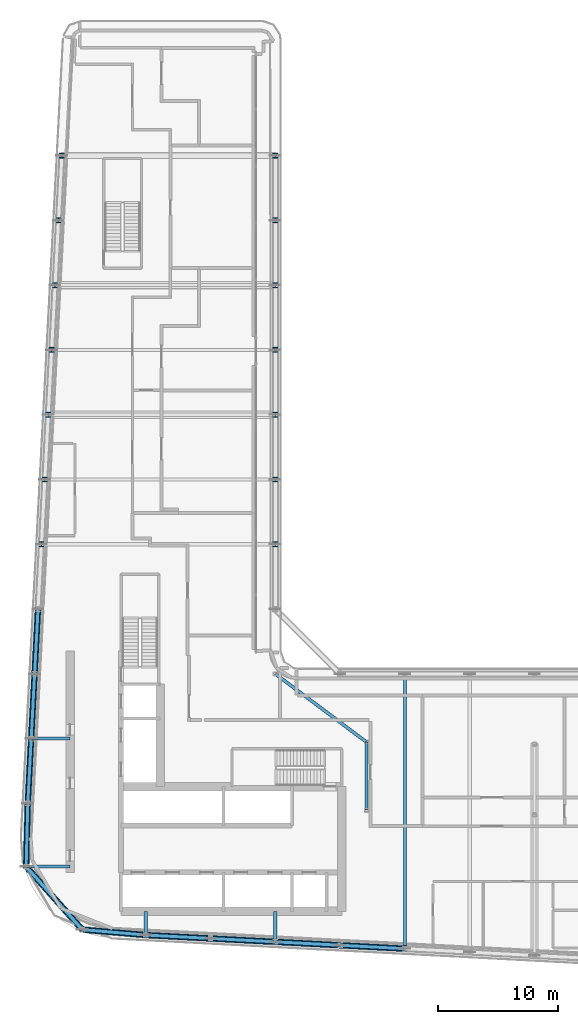
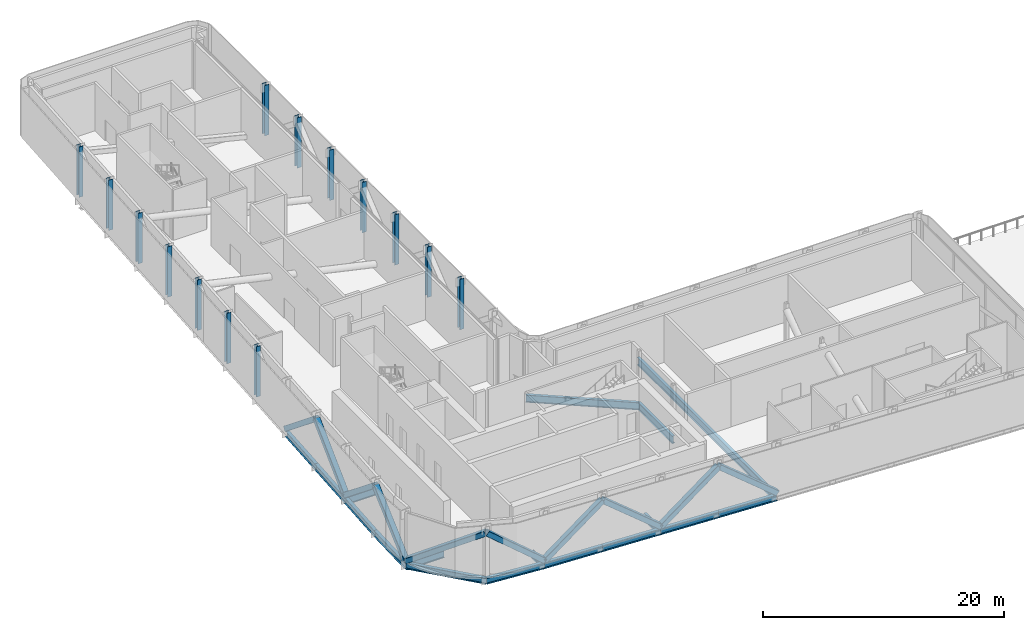
# One storey, part 3 of 23: 17 beams, 14 columns, 10 members.
"""IFC4 building model written with IfcOpenShell, lengths in metres."""

import ifcopenshell
import ifcopenshell.guid

model = None  # the IFC model being written
_history = None  # IfcOwnerHistory: only IFC2X3 demands one
_inside = {}  # id of a spatial element -> (the spatial element, [elements in it])
_under = {}  # id of a project, library or spatial element -> (it, [spatial elements below it])
_declared = {}  # id of a project -> (the project, [libraries it declares])
_typed = {}  # id of a type object -> (the type object, [elements of that type])
_made_of = {}  # id of a material, layer set ... -> (it, [elements and type objects made of it])


def new_model(schema):
    """Start an empty IFC model of exactly this schema.

    Asked for "IFC4X3", IfcOpenShell would pick the latest addendum, in which some entities
    have other attributes; the version numbers below select the first issue.
    IFC2X3 requires an IfcOwnerHistory on every rooted entity: one is made here for all.
    """
    global model, _history
    if schema == "IFC4X3":
        model = ifcopenshell.file(schema_version=(4, 3, 0, 0))
    else:
        model = ifcopenshell.file(schema=schema)
    _inside.clear()
    _under.clear()
    _declared.clear()
    _typed.clear()
    _made_of.clear()
    _history = None
    if model.schema == "IFC2X3":
        org = make("IfcOrganization", Name="unknown")
        user = make(
            "IfcPersonAndOrganization",
            ThePerson=make("IfcPerson", FamilyName="unknown"),
            TheOrganization=org,
        )
        app = make(
            "IfcApplication",
            ApplicationDeveloper=org,
            Version="unknown",
            ApplicationFullName="unknown",
            ApplicationIdentifier="unknown",
        )
        _history = make(
            "IfcOwnerHistory",
            OwningUser=user,
            OwningApplication=app,
            ChangeAction="ADDED",
            CreationDate=0,
        )
    return model


def make(cls, **values):
    """One entity of the class cls with the attributes given. An attribute that is None is left unset."""
    return model.create_entity(
        cls, **{name: value for name, value in values.items() if value is not None}
    )


def rooted(cls, **values):
    """An entity with a GlobalId (a new one), such as an element, a storey or a relation."""
    return make(cls, GlobalId=ifcopenshell.guid.new(), OwnerHistory=_history, **values)


def si_unit(unit_type, name, prefix=None):
    """IfcSIUnit, for example si_unit("LENGTHUNIT", "METRE", prefix="MILLI")."""
    return make("IfcSIUnit", UnitType=unit_type, Prefix=prefix, Name=name)


def assignment(units):
    """IfcUnitAssignment: the units of a project."""
    return None if units is None else make("IfcUnitAssignment", Units=units)


def point(xyz):
    """IfcCartesianPoint."""
    return None if xyz is None else make("IfcCartesianPoint", Coordinates=xyz)


def direction(xyz):
    """IfcDirection."""
    return None if xyz is None else make("IfcDirection", DirectionRatios=xyz)


def frame(location, z_axis=None, x_axis=None):
    """IfcAxis2Placement3D, a coordinate frame: its origin and axes. An axis left out is left unset."""
    return make(
        "IfcAxis2Placement3D",
        Location=point(location),
        Axis=direction(z_axis),
        RefDirection=direction(x_axis),
    )


def frame_2d(location, x_axis=None):
    """IfcAxis2Placement2D, a coordinate frame in the plane: its origin and x axis."""
    return make(
        "IfcAxis2Placement2D", Location=point(location), RefDirection=direction(x_axis)
    )


def origin():
    """The frame at (0, 0, 0) with its axes left unset."""
    return frame((0.0, 0.0, 0.0))


def origin_2d():
    """The frame at (0, 0) in the plane with its x axis left unset."""
    return frame_2d((0.0, 0.0))


def place(relative_to, where):
    """IfcLocalPlacement: puts the frame where relative to a parent placement (None: the world)."""
    return make(
        "IfcLocalPlacement", PlacementRelTo=relative_to, RelativePlacement=where
    )


def context(
    kind, dimensions, precision=None, world=None, true_north=None, identifier=None
):
    """IfcGeometricRepresentationContext, for example the 3D "Model" context."""
    return make(
        "IfcGeometricRepresentationContext",
        ContextIdentifier=identifier,
        ContextType=kind,
        CoordinateSpaceDimension=dimensions,
        Precision=precision,
        WorldCoordinateSystem=world,
        TrueNorth=true_north,
    )


def subcontext(parent, identifier, kind, view, scale=None):
    """IfcGeometricRepresentationSubContext, for example "Body" below "Model"."""
    return make(
        "IfcGeometricRepresentationSubContext",
        ContextIdentifier=identifier,
        ContextType=kind,
        ParentContext=parent,
        TargetScale=scale,
        TargetView=view,
    )


def project(units=None, contexts=None):
    """IfcProject with its units and contexts."""
    return rooted(
        "IfcProject",
        Name="project",
        RepresentationContexts=contexts,
        UnitsInContext=assignment(units),
    )


def spatial(cls, under=None, at=None, **own):
    """A site, building, storey or space (cls), placed at a placement, below another one or the project."""
    s = rooted(cls, ObjectPlacement=at, **own)
    if under is not None:
        _under.setdefault(under.id(), (under, []))[1].append(s)
    return s


def profile(cls, at=None, kind="AREA", **sizes):
    """A parametric profile (cls). Its sizes go by their IFC names, for example OverallWidth=200.0."""
    return make(cls, ProfileType=kind, Position=at, **sizes)


def hollow_rectangle(**sizes):
    """IfcRectangleHollowProfileDef."""
    return profile("IfcRectangleHollowProfileDef", **sizes)


def i_section(**sizes):
    """IfcIShapeProfileDef."""
    return profile("IfcIShapeProfileDef", **sizes)


def extrude(swept, where, along, depth):
    """IfcExtrudedAreaSolid: the profile swept, set in the frame where, extruded along a direction by depth."""
    return make(
        "IfcExtrudedAreaSolid",
        SweptArea=swept,
        Position=where,
        ExtrudedDirection=direction(along),
        Depth=depth,
    )


def shape(context_of_items, identifier, shape_type, items):
    """IfcShapeRepresentation: the items that make up one representation, for example the "Body"."""
    return make(
        "IfcShapeRepresentation",
        ContextOfItems=context_of_items,
        RepresentationIdentifier=identifier,
        RepresentationType=shape_type,
        Items=items,
    )


def material(Name=None, Category=None):
    """IfcMaterial."""
    return make("IfcMaterial", Name=Name, Category=Category)


def material_profile(
    of_material, cross_section, Name=None, Category=None, Priority=None
):
    """IfcMaterialProfile: a cross section and its material."""
    return make(
        "IfcMaterialProfile",
        Name=Name,
        Material=of_material,
        Profile=cross_section,
        Priority=Priority,
        Category=Category,
    )


def profile_set(profiles, Name=None, composite=None):
    """IfcMaterialProfileSet."""
    return make(
        "IfcMaterialProfileSet",
        Name=Name,
        MaterialProfiles=profiles,
        CompositeProfile=composite,
    )


def made_of(thing, what):
    """Note that an element or type object is made of a material, layer set ...; save() writes the relation."""
    if what is not None:
        _made_of.setdefault(what.id(), (what, []))[1].append(thing)
    return thing


def type_object(cls, material=None, **own):
    """A type object (cls), such as IfcWallType, which elements share."""
    return made_of(rooted(cls, **own), material)


def element(
    cls,
    number,
    at=None,
    inside=None,
    cuts=None,
    type_object=None,
    material=None,
    context=None,
    identifier="Body",
    shape_type=None,
    held_by="IfcProductDefinitionShape",
    body=None,
    shapes=None,
    **own,
):
    """One element of the class cls, such as IfcWall. Its Tag is "e" and its number.

    at: its placement. inside: the storey or other place that contains it. cuts: it is an
    opening in that element (IfcRelVoidsElement). A single representation is given by context,
    identifier, shape_type and body (its items); several are given by shapes. held_by: the class
    of the entity that holds the representations. save() writes the other relations.
    """
    e = rooted(cls, Tag="e%d" % number, ObjectPlacement=at, **own)
    if body is not None:
        shapes = [shape(context, identifier, shape_type, body)]
    if shapes is not None:
        e.Representation = make(held_by, Representations=shapes)
    if inside is not None:
        _inside.setdefault(inside.id(), (inside, []))[1].append(e)
    if cuts is not None:
        rooted(
            "IfcRelVoidsElement", RelatingBuildingElement=cuts, RelatedOpeningElement=e
        )
    if type_object is not None:
        _typed.setdefault(type_object.id(), (type_object, []))[1].append(e)
    return made_of(e, material)


def aggregate(whole, parts):
    """IfcRelAggregates: a whole, such as a stair, and the parts it consists of."""
    return rooted("IfcRelAggregates", RelatingObject=whole, RelatedObjects=parts)


def save(model, path):
    """Write the relations noted so far, then the file.

    IfcRelAggregates (storeys below a building ...), IfcRelContainedInSpatialStructure (elements
    in a storey), IfcRelDefinesByType, IfcRelAssociatesMaterial and IfcRelDeclares: one each for
    every whole, place, type object, material and project.
    """
    for whole, parts in _under.values():
        aggregate(whole, parts)
    for where, things in _inside.values():
        rooted(
            "IfcRelContainedInSpatialStructure",
            RelatedElements=things,
            RelatingStructure=where,
        )
    for kind, things in _typed.values():
        rooted("IfcRelDefinesByType", RelatedObjects=things, RelatingType=kind)
    for what, things in _made_of.values():
        rooted("IfcRelAssociatesMaterial", RelatedObjects=things, RelatingMaterial=what)
    for by, libraries in _declared.values():
        rooted("IfcRelDeclares", RelatingContext=by, RelatedDefinitions=libraries)
    model.write(path)


model = new_model("IFC4")

# Units and contexts
model_context = context("Model", 3, precision=1e-05, world=origin(), true_north=direction((0.0, 1.0)))
body_context = subcontext(model_context, "Body", "Model", "MODEL_VIEW")
ifc_project = project(units=[si_unit("LENGTHUNIT", "METRE"), si_unit("AREAUNIT", "SQUARE_METRE"), si_unit("VOLUMEUNIT", "CUBIC_METRE"), si_unit("PLANEANGLEUNIT", "RADIAN"), si_unit("MASSUNIT", "GRAM", prefix="KILO")], contexts=[model_context])

# Site, building, storey
site_placement = place(None, origin())
site = spatial("IfcSite", under=ifc_project, at=site_placement, CompositionType="ELEMENT")
building_placement = place(site_placement, origin())
building = spatial("IfcBuilding", under=site, at=building_placement, Name="Kheshtan School and Residences Tower", CompositionType="ELEMENT")
storey_placement = place(building_placement, frame((0.0, 0.0, 211.10009765625)))
storey = spatial("IfcBuildingStorey", under=building, at=storey_placement, Name="L49", CompositionType="ELEMENT", Elevation=211.10009765625)

# Columns
ifc_material_1 = material(Name="Steel ASTM A992 Grade 50", Category="steel")
ifc_material_profile_1 = material_profile(ifc_material_1, i_section(OverallWidth=0.404052734375, OverallDepth=0.406982421875, WebThickness=0.027099609375, FlangeThickness=0.043701171875, FilletRadius=0.01220703125, at=origin_2d()), Name="W360x347")
ifc_profile_set_1 = profile_set([ifc_material_profile_1], Name="Steel ASTM A992 Grade 50")
column_type = type_object("IfcColumnType", Name="Column C4 W360x347 ASTM A992 Grade 50", PredefinedType="COLUMN", material=ifc_profile_set_1)
for number, where, z_axis, x_axis, name in (
    (1, (28.10595703125, 56.39990234375, 0.0), (0.0, 0.0, 1.0), (1.0, 0.0, 0.0), "Column C080"),
    (2, (47.60009765625, 56.39990234375, 0.0), (0.0, 0.0, 1.0), (1.0, 0.0, 0.0), "Column C081"),
    (3, (28.389892578125, 61.800048828125, 0.0), (0.0, 0.0, 1.0), (1.0, 0.0, 0.0), "Column C082"),
    (4, (47.60009765625, 61.800048828125, 0.0), (0.0, 0.0, 1.0), (1.0, 0.0, 0.0), "Column C083"),
    (5, (28.674072265625, 67.199951171875, 0.0), (0.0, 0.0, 1.0), (1.0, 0.0, 0.0), "Column C084"),
    (6, (47.60009765625, 67.199951171875, 0.0), (0.0, 0.0, 1.0), (1.0, 0.0, 0.0), "Column C085"),
    (7, (28.9580078125, 72.60009765625, 0.0), (0.0, 0.0, 1.0), (1.0, 0.0, 0.0), "Column C086"),
    (8, (47.60009765625, 72.60009765625, 0.0), (0.0, 0.0, 1.0), (1.0, 0.0, 0.0), "Column C087"),
    (9, (29.242919921875, 78.0, 0.0), (0.0, 0.0, 1.0), (1.0, 0.0, 0.0), "Column C088"),
    (10, (47.60009765625, 78.0, 0.0), (0.0, 0.0, 1.0), (1.0, 0.0, 0.0), "Column C089"),
    (11, (29.527099609375, 83.39990234375, 0.0), (0.0, 0.0, 1.0), (1.0, 0.0, 0.0), "Column C090"),
    (12, (47.60009765625, 83.39990234375, 0.0), (0.0, 0.0, 1.0), (1.0, 0.0, 0.0), "Column C091"),
    (13, (29.81103515625, 88.800048828125, 0.0), (0.0, 0.0, 1.0), (1.0, 0.0, 0.0), "Column C098"),
    (14, (47.60009765625, 88.800048828125, 0.0), (0.0, 0.0, 1.0), (1.0, 0.0, 0.0), "Column C099"),
):
    element("IfcColumn", number, at=place(storey_placement, frame(where, z_axis=z_axis, x_axis=x_axis)), inside=storey, type_object=column_type, Name=name, PredefinedType="COLUMN", context=body_context, shape_type="SweptSolid", body=[
        extrude(i_section(OverallWidth=0.404052734375, OverallDepth=0.406982421875, WebThickness=0.027099609375, FlangeThickness=0.043701171875, FilletRadius=0.01220703125, at=origin_2d()), origin(), (0.0, 0.0, 1.0), 5.099853515625),
    ])

# Beams
ifc_material_profile_2 = material_profile(ifc_material_1, i_section(OverallWidth=0.264892578125, OverallDepth=0.7529296875, WebThickness=0.01318359375, FlangeThickness=0.01708984375, FilletRadius=0.015380859375, at=origin_2d()), Name="W760x147")
ifc_profile_set_2 = profile_set([ifc_material_profile_2], Name="Steel ASTM A992 Grade 50")
beam_type_1 = type_object("IfcBeamType", Name="Beam FB7 W760x147 ASTM A992 Grade 50", PredefinedType="BEAM", material=ifc_profile_set_2)
beam_1_placement = place(storey_placement, frame((58.39990234375, 22.695068359375, -0.526611328125), z_axis=(0.0, 1.0, 0.0), x_axis=(-1.0, 0.0, 0.0)))
element("IfcBeam", 15, at=beam_1_placement, inside=storey, type_object=beam_type_1, Name="Floor beam C018", PredefinedType="BEAM", context=body_context, shape_type="SweptSolid", body=[
    extrude(i_section(OverallWidth=0.264892578125, OverallDepth=0.7529296875, WebThickness=0.01318359375, FlangeThickness=0.01708984375, FilletRadius=0.015380859375, at=origin_2d()), origin(), (0.0, 0.0, 1.0), 22.905029296875),
])
beam_2_placement = place(storey_placement, frame((47.60009765625, 23.263916015625, -0.526611328125), z_axis=(0.0, 1.0, 0.0), x_axis=(-1.0, 0.0, 0.0)))
element("IfcBeam", 16, at=beam_2_placement, inside=storey, type_object=beam_type_1, Name="Floor beam C020", PredefinedType="BEAM", context=body_context, shape_type="SweptSolid", body=[
    extrude(i_section(OverallWidth=0.264892578125, OverallDepth=0.7529296875, WebThickness=0.01318359375, FlangeThickness=0.01708984375, FilletRadius=0.015380859375, at=origin_2d()), origin(), (0.0, 0.0, 1.0), 2.5361328125),
])
beam_3_placement = place(storey_placement, frame((36.800048828125, 23.83203125, -0.526611328125), z_axis=(0.0, 1.0, 0.0), x_axis=(-1.0, 0.0, 0.0)))
element("IfcBeam", 17, at=beam_3_placement, inside=storey, type_object=beam_type_1, Name="Floor beam C022", PredefinedType="BEAM", context=body_context, shape_type="SweptSolid", body=[
    extrude(i_section(OverallWidth=0.264892578125, OverallDepth=0.7529296875, WebThickness=0.01318359375, FlangeThickness=0.01708984375, FilletRadius=0.015380859375, at=origin_2d()), origin(), (0.0, 0.0, 1.0), 1.968017578125),
])
beam_4_placement = place(storey_placement, frame((26.830078125, 29.5380859375, -0.526611328125), z_axis=(1.0, 0.0, 0.0), x_axis=(0.0, 1.0, 0.0)))
element("IfcBeam", 18, at=beam_4_placement, inside=storey, type_object=beam_type_1, Name="Floor beam C043", PredefinedType="BEAM", context=body_context, shape_type="SweptSolid", body=[
    extrude(i_section(OverallWidth=0.264892578125, OverallDepth=0.7529296875, WebThickness=0.01318359375, FlangeThickness=0.01708984375, FilletRadius=0.015380859375, at=origin_2d()), origin(), (0.0, 0.0, 1.0), 3.669921875),
])
beam_5_placement = place(storey_placement, frame((27.2529296875, 40.199951171875, -0.526611328125), z_axis=(1.0, 0.0, 0.0), x_axis=(0.0, 1.0, 0.0)))
element("IfcBeam", 19, at=beam_5_placement, inside=storey, type_object=beam_type_1, Name="Floor beam C056", PredefinedType="BEAM", context=body_context, shape_type="SweptSolid", body=[
    extrude(i_section(OverallWidth=0.264892578125, OverallDepth=0.7529296875, WebThickness=0.01318359375, FlangeThickness=0.01708984375, FilletRadius=0.015380859375, at=origin_2d()), origin(), (0.0, 0.0, 1.0), 3.2470703125),
])
beam_6_placement = place(storey_placement, frame((55.199951171875, 34.23193359375, -0.526611328125), z_axis=(0.0, 1.0, 0.0), x_axis=(-1.0, 0.0, 0.0)))
element("IfcBeam", 20, at=beam_6_placement, inside=storey, type_object=beam_type_1, Name="Floor beam IC", PredefinedType="BEAM", context=body_context, shape_type="SweptSolid", body=[
    extrude(i_section(OverallWidth=0.264892578125, OverallDepth=0.7529296875, WebThickness=0.01318359375, FlangeThickness=0.01708984375, FilletRadius=0.015380859375, at=origin_2d()), origin(), (0.0, 0.0, 1.0), 5.68408203125),
])
beam_7_placement = place(storey_placement, frame((47.60009765625, 45.60009765625, -0.526611328125), z_axis=(0.800798828004, -0.598933416222, 0.0), x_axis=(0.598933416222, 0.800798828004, 0.0)))
element("IfcBeam", 21, at=beam_7_placement, inside=storey, type_object=beam_type_1, Name="Floor beam IC", PredefinedType="BEAM", context=body_context, shape_type="SweptSolid", body=[
    extrude(i_section(OverallWidth=0.264892578125, OverallDepth=0.7529296875, WebThickness=0.01318359375, FlangeThickness=0.01708984375, FilletRadius=0.015380859375, at=origin_2d()), origin(), (0.0, 0.0, 1.0), 9.490234375),
])
ifc_material_profile_3 = material_profile(ifc_material_1, i_section(OverallWidth=0.324951171875, OverallDepth=0.615966796875, WebThickness=0.013916015625, FlangeThickness=0.021484375, FilletRadius=0.0185546875, at=origin_2d()), Name="W610x174")
ifc_profile_set_3 = profile_set([ifc_material_profile_3], Name="Steel ASTM A992 Grade 50")
beam_type_2 = type_object("IfcBeamType", Name="Beam SP5 W610x174 ASTM A992 Grade 50", PredefinedType="BEAM", material=ifc_profile_set_3)
for number, where, z_axis, x_axis, name in (
    (22, (58.39990234375, 22.695068359375, -0.4580078125), (-0.998610961136, 0.052689166816, 0.0), (-0.052689166816, -0.998610961136, 0.0), "Spandrel beam C018-C019"),
    (23, (53.0, 22.97998046875, -0.4580078125), (-0.998620447272, 0.05250906864, 0.0), (-0.05250906864, -0.998620447272, 0.0), "Spandrel beam C019-C020"),
):
    element("IfcBeam", number, at=place(storey_placement, frame(where, z_axis=z_axis, x_axis=x_axis)), inside=storey, type_object=beam_type_2, Name=name, PredefinedType="BEAM", context=body_context, shape_type="SweptSolid", body=[
        extrude(i_section(OverallWidth=0.324951171875, OverallDepth=0.615966796875, WebThickness=0.013916015625, FlangeThickness=0.021484375, FilletRadius=0.0185546875, at=origin_2d()), origin(), (0.0, 0.0, 1.0), 5.407470703125),
    ])
beam_8_placement = place(storey_placement, frame((47.60009765625, 23.263916015625, -0.4580078125), z_axis=(-0.998618203458, 0.052551724256, 0.0), x_axis=(-0.052551724256, -0.998618203458, 0.0)))
element("IfcBeam", 24, at=beam_8_placement, inside=storey, type_object=beam_type_2, Name="Spandrel beam C020-C021", PredefinedType="BEAM", context=body_context, shape_type="SweptSolid", body=[
    extrude(i_section(OverallWidth=0.324951171875, OverallDepth=0.615966796875, WebThickness=0.013916015625, FlangeThickness=0.021484375, FilletRadius=0.0185546875, at=origin_2d()), origin(), (0.0, 0.0, 1.0), 5.40771484375),
])
beam_9_placement = place(storey_placement, frame((42.199951171875, 23.548095703125, -0.4580078125), z_axis=(-0.998620447272, 0.05250906864, 0.0), x_axis=(-0.05250906864, -0.998620447272, 0.0)))
element("IfcBeam", 25, at=beam_9_placement, inside=storey, type_object=beam_type_2, Name="Spandrel beam C021-C022", PredefinedType="BEAM", context=body_context, shape_type="SweptSolid", body=[
    extrude(i_section(OverallWidth=0.324951171875, OverallDepth=0.615966796875, WebThickness=0.013916015625, FlangeThickness=0.021484375, FilletRadius=0.0185546875, at=origin_2d()), origin(), (0.0, 0.0, 1.0), 5.407470703125),
])
beam_10_placement = place(storey_placement, frame((36.800048828125, 23.83203125, -0.4580078125), z_axis=(-0.996386672761, 0.084932904956, 0.0), x_axis=(-0.084932904956, -0.996386672761, 0.0)))
element("IfcBeam", 26, at=beam_10_placement, inside=storey, type_object=beam_type_2, Name="Spandrel beam C022-C030", PredefinedType="BEAM", context=body_context, shape_type="SweptSolid", body=[
    extrude(i_section(OverallWidth=0.324951171875, OverallDepth=0.615966796875, WebThickness=0.013916015625, FlangeThickness=0.021484375, FilletRadius=0.0185546875, at=origin_2d()), origin(), (0.0, 0.0, 1.0), 5.309326171875),
])
beam_11_placement = place(storey_placement, frame((31.510009765625, 24.282958984375, -0.4580078125), z_axis=(-0.66505480847, 0.746794551219, 0.0), x_axis=(-0.746794551219, -0.66505480847, 0.0)))
element("IfcBeam", 27, at=beam_11_placement, inside=storey, type_object=beam_type_2, Name="Spandrel beam C030-C043", PredefinedType="BEAM", context=body_context, shape_type="SweptSolid", body=[
    extrude(i_section(OverallWidth=0.324951171875, OverallDepth=0.615966796875, WebThickness=0.013916015625, FlangeThickness=0.021484375, FilletRadius=0.0185546875, at=origin_2d()), origin(), (0.0, 0.0, 1.0), 7.036865234375),
])
beam_12_placement = place(storey_placement, frame((26.830078125, 29.5380859375, -0.4580078125), z_axis=(0.026390842013, 0.999651701073, 0.0), x_axis=(-0.999651701073, 0.026390842013, 0.0)))
element("IfcBeam", 28, at=beam_12_placement, inside=storey, type_object=beam_type_2, Name="Spandrel beam C043-C052", PredefinedType="BEAM", context=body_context, shape_type="SweptSolid", body=[
    extrude(i_section(OverallWidth=0.324951171875, OverallDepth=0.615966796875, WebThickness=0.013916015625, FlangeThickness=0.021484375, FilletRadius=0.0185546875, at=origin_2d()), origin(), (0.0, 0.0, 1.0), 5.263916015625),
])
beam_13_placement = place(storey_placement, frame((26.968994140625, 34.800048828125, -0.4580078125), z_axis=(0.05250906864, 0.998620447272, 0.0), x_axis=(-0.998620447272, 0.05250906864, 0.0)))
element("IfcBeam", 29, at=beam_13_placement, inside=storey, type_object=beam_type_2, Name="Spandrel beam C052-C056", PredefinedType="BEAM", context=body_context, shape_type="SweptSolid", body=[
    extrude(i_section(OverallWidth=0.324951171875, OverallDepth=0.615966796875, WebThickness=0.013916015625, FlangeThickness=0.021484375, FilletRadius=0.0185546875, at=origin_2d()), origin(), (0.0, 0.0, 1.0), 5.407470703125),
])
beam_14_placement = place(storey_placement, frame((27.2529296875, 40.199951171875, -0.4580078125), z_axis=(0.052551724256, 0.998618203458, 0.0), x_axis=(-0.998618203458, 0.052551724256, 0.0)))
element("IfcBeam", 30, at=beam_14_placement, inside=storey, type_object=beam_type_2, Name="Spandrel beam C056-C059", PredefinedType="BEAM", context=body_context, shape_type="SweptSolid", body=[
    extrude(i_section(OverallWidth=0.324951171875, OverallDepth=0.615966796875, WebThickness=0.013916015625, FlangeThickness=0.021484375, FilletRadius=0.0185546875, at=origin_2d()), origin(), (0.0, 0.0, 1.0), 5.40771484375),
])
beam_15_placement = place(storey_placement, frame((27.537109375, 45.60009765625, -0.4580078125), z_axis=(0.052689166816, 0.998610961136, 0.0), x_axis=(-0.998610961136, 0.052689166816, 0.0)))
element("IfcBeam", 31, at=beam_15_placement, inside=storey, type_object=beam_type_2, Name="Spandrel beam C059-C078", PredefinedType="BEAM", context=body_context, shape_type="SweptSolid", body=[
    extrude(i_section(OverallWidth=0.324951171875, OverallDepth=0.615966796875, WebThickness=0.013916015625, FlangeThickness=0.021484375, FilletRadius=0.0185546875, at=origin_2d()), origin(), (0.0, 0.0, 1.0), 5.407470703125),
])

# Members
ifc_material_2 = material(Name="Steel ASTM A500 Grade C", Category="steel")
ifc_material_profile_4 = material_profile(ifc_material_2, hollow_rectangle(XDim=0.508056640625, YDim=0.508056640625, WallThickness=0.01904296875, InnerFilletRadius=0.01904296875, OuterFilletRadius=0.0380859375, at=origin_2d()), Name="HSS 508x508x19")
ifc_profile_set_4 = profile_set([ifc_material_profile_4], Name="Steel ASTM A500 Grade C")
member_type = type_object("IfcMemberType", Name="Member BT2 HSS 508x508x19 ASTM A500 Grade C", PredefinedType="BRACE", material=ifc_profile_set_4)
for number, where, z_axis, x_axis, name in (
    (32, (58.39990234375, 22.695068359375, 0.0498046875), (-0.776884378559, 0.040990327777, 0.628307612066), (-0.052689166816, -0.998610961136, 0.0), "Belt truss diagonal C018-C019"),
    (33, (47.60009765625, 23.263916015625, 0.0498046875), (0.776888845057, -0.040850064509, 0.628311224359), (0.05250906864, 0.998620447272, 0.0), "Belt truss diagonal C019-C020"),
):
    element("IfcMember", number, at=place(storey_placement, frame(where, z_axis=z_axis, x_axis=x_axis)), inside=storey, type_object=member_type, Name=name, PredefinedType="BRACE", context=body_context, shape_type="SweptSolid", body=[
        extrude(hollow_rectangle(XDim=0.508056640625, YDim=0.508056640625, WallThickness=0.01904296875, InnerFilletRadius=0.01904296875, OuterFilletRadius=0.0380859375, at=origin_2d()), origin(), (0.0, 0.0, 1.0), 6.95068359375),
    ])
member_1_placement = place(storey_placement, frame((47.60009765625, 23.263916015625, 0.0498046875), z_axis=(-0.776901654314, 0.040884014902, 0.628293177466), x_axis=(-0.052551724256, -0.998618203458, 0.0)))
element("IfcMember", 34, at=member_1_placement, inside=storey, type_object=member_type, Name="Belt truss diagonal C020-C021", PredefinedType="BRACE", context=body_context, shape_type="SweptSolid", body=[
    extrude(hollow_rectangle(XDim=0.508056640625, YDim=0.508056640625, WallThickness=0.01904296875, InnerFilletRadius=0.01904296875, OuterFilletRadius=0.0380859375, at=origin_2d()), origin(), (0.0, 0.0, 1.0), 6.950927734375),
])
member_2_placement = place(storey_placement, frame((36.800048828125, 23.83203125, 0.0498046875), z_axis=(0.776888845057, -0.040850064509, 0.628311224359), x_axis=(0.05250906864, 0.998620447272, 0.0)))
element("IfcMember", 35, at=member_2_placement, inside=storey, type_object=member_type, Name="Belt truss diagonal C021-C022", PredefinedType="BRACE", context=body_context, shape_type="SweptSolid", body=[
    extrude(hollow_rectangle(XDim=0.508056640625, YDim=0.508056640625, WallThickness=0.01904296875, InnerFilletRadius=0.01904296875, OuterFilletRadius=0.0380859375, at=origin_2d()), origin(), (0.0, 0.0, 1.0), 6.95068359375),
])
member_3_placement = place(storey_placement, frame((36.800048828125, 23.83203125, 0.0498046875), z_axis=(-0.769504586493, 0.065593269857, 0.635263893446), x_axis=(-0.084932904956, -0.996386672761, 0.0)))
element("IfcMember", 36, at=member_3_placement, inside=storey, type_object=member_type, Name="Belt truss diagonal C022-C030", PredefinedType="BRACE", context=body_context, shape_type="SweptSolid", body=[
    extrude(hollow_rectangle(XDim=0.508056640625, YDim=0.508056640625, WallThickness=0.01904296875, InnerFilletRadius=0.01904296875, OuterFilletRadius=0.0380859375, at=origin_2d()), origin(), (0.0, 0.0, 1.0), 6.87451171875),
])
member_4_placement = place(storey_placement, frame((26.830078125, 29.5380859375, 0.0498046875), z_axis=(0.56507708435, -0.634528887299, 0.527314877398), x_axis=(0.746794551219, 0.66505480847, 0.0)))
element("IfcMember", 37, at=member_4_placement, inside=storey, type_object=member_type, Name="Belt truss diagonal C030-C043", PredefinedType="BRACE", context=body_context, shape_type="SweptSolid", body=[
    extrude(hollow_rectangle(XDim=0.508056640625, YDim=0.508056640625, WallThickness=0.01904296875, InnerFilletRadius=0.01904296875, OuterFilletRadius=0.0380859375, at=origin_2d()), origin(), (0.0, 0.0, 1.0), 8.281982421875),
])
member_5_placement = place(storey_placement, frame((26.830078125, 29.5380859375, 0.0498046875), z_axis=(0.020310601114, 0.769339869628, 0.638516753487), x_axis=(-0.999651701073, 0.026390842013, 0.0)))
element("IfcMember", 38, at=member_5_placement, inside=storey, type_object=member_type, Name="Belt truss diagonal C043-C052", PredefinedType="BRACE", context=body_context, shape_type="SweptSolid", body=[
    extrude(hollow_rectangle(XDim=0.508056640625, YDim=0.508056640625, WallThickness=0.01904296875, InnerFilletRadius=0.01904296875, OuterFilletRadius=0.0380859375, at=origin_2d()), origin(), (0.0, 0.0, 1.0), 6.839599609375),
])
member_6_placement = place(storey_placement, frame((27.2529296875, 40.199951171875, 0.0498046875), z_axis=(-0.040850064509, -0.776888845057, 0.628311224359), x_axis=(0.998620447272, -0.05250906864, 0.0)))
element("IfcMember", 39, at=member_6_placement, inside=storey, type_object=member_type, Name="Belt truss diagonal C052-C056", PredefinedType="BRACE", context=body_context, shape_type="SweptSolid", body=[
    extrude(hollow_rectangle(XDim=0.508056640625, YDim=0.508056640625, WallThickness=0.01904296875, InnerFilletRadius=0.01904296875, OuterFilletRadius=0.0380859375, at=origin_2d()), origin(), (0.0, 0.0, 1.0), 6.95068359375),
])
member_7_placement = place(storey_placement, frame((27.2529296875, 40.199951171875, 0.0498046875), z_axis=(0.040884014902, 0.776901654314, 0.628293177466), x_axis=(-0.998618203458, 0.052551724256, 0.0)))
element("IfcMember", 40, at=member_7_placement, inside=storey, type_object=member_type, Name="Belt truss diagonal C056-C059", PredefinedType="BRACE", context=body_context, shape_type="SweptSolid", body=[
    extrude(hollow_rectangle(XDim=0.508056640625, YDim=0.508056640625, WallThickness=0.01904296875, InnerFilletRadius=0.01904296875, OuterFilletRadius=0.0380859375, at=origin_2d()), origin(), (0.0, 0.0, 1.0), 6.950927734375),
])
member_8_placement = place(storey_placement, frame((27.822021484375, 51.0, 0.0498046875), z_axis=(-0.040990327777, -0.776884378559, 0.628307612066), x_axis=(0.998610961136, -0.052689166816, 0.0)))
element("IfcMember", 41, at=member_8_placement, inside=storey, type_object=member_type, Name="Belt truss diagonal C059-C078", PredefinedType="BRACE", context=body_context, shape_type="SweptSolid", body=[
    extrude(hollow_rectangle(XDim=0.508056640625, YDim=0.508056640625, WallThickness=0.01904296875, InnerFilletRadius=0.01904296875, OuterFilletRadius=0.0380859375, at=origin_2d()), origin(), (0.0, 0.0, 1.0), 6.95068359375),
])

save(model, "model.ifc")
